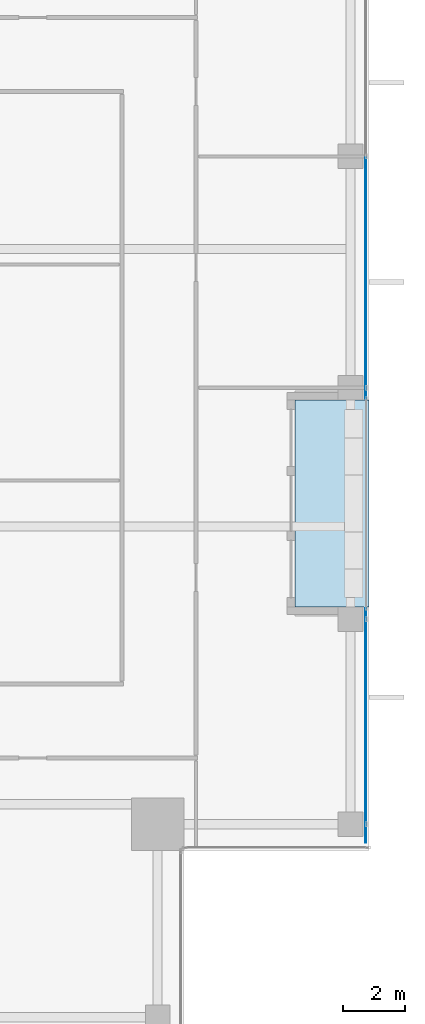
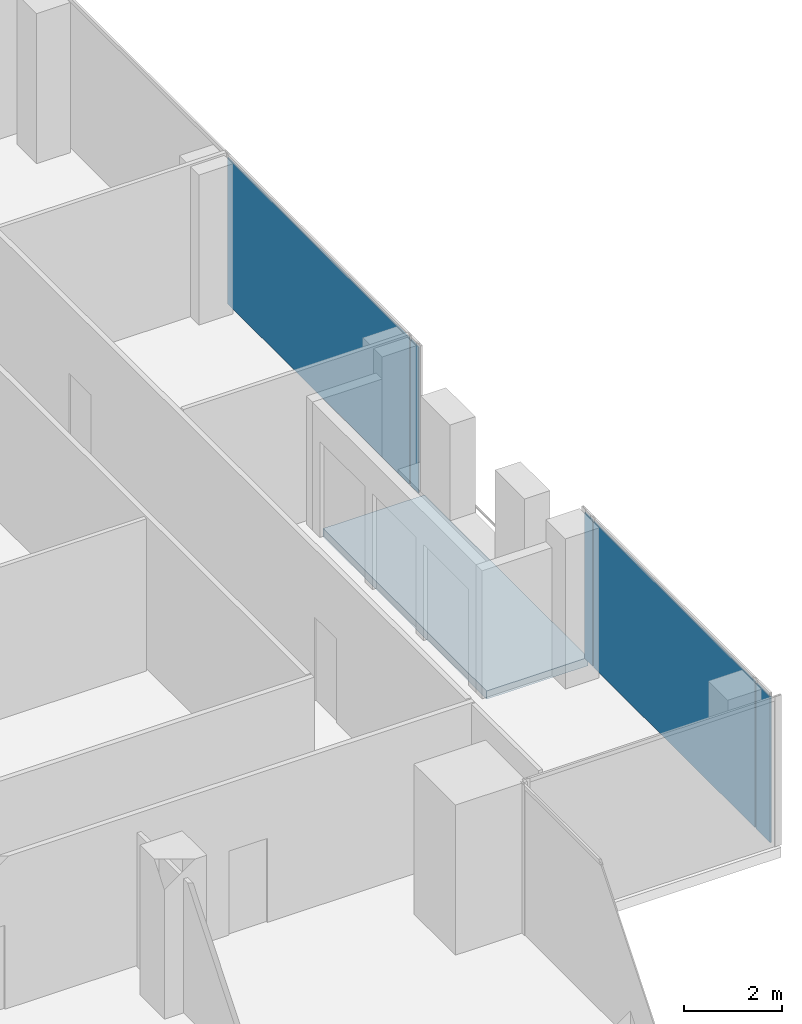
# One storey, part 21 of 29: 5 plates, 1 slab, 2 elements without a shape of their own.
"""IFC4 building model written with IfcOpenShell, lengths in metres."""

from ifc_helpers import new_model, si_unit, direction, frame, origin, origin_2d, place, context, subcontext, project, spatial, polyline, rectangle, outline, extrude, source, transform, mapped, material, layer, layer_set, type_object, element, aggregate, save


model = new_model("IFC4")

# Units and contexts
model_context = context("Model", 3, precision=1e-05, world=origin(), true_north=direction((0.0, 1.0)))
body_context = subcontext(model_context, "Body", "Model", "MODEL_VIEW")
ifc_project = project(units=[si_unit("LENGTHUNIT", "METRE"), si_unit("AREAUNIT", "SQUARE_METRE"), si_unit("VOLUMEUNIT", "CUBIC_METRE"), si_unit("PLANEANGLEUNIT", "RADIAN"), si_unit("MASSUNIT", "GRAM", prefix="KILO")], contexts=[model_context])

# Site, building, storey
site_placement = place(None, origin())
site = spatial("IfcSite", under=ifc_project, at=site_placement, CompositionType="ELEMENT")
building_placement = place(site_placement, origin())
building = spatial("IfcBuilding", under=site, at=building_placement, Name="Khomas Fold Tower", CompositionType="ELEMENT")
storey_placement = place(building_placement, frame((0.0, 0.0, 286.199951171875)))
storey = spatial("IfcBuildingStorey", under=building, at=storey_placement, Name="L64", CompositionType="ELEMENT", Elevation=286.199951171875)

# Curtain wall, plates
ifc_material_1 = material(Name="Aluminium framed double glazing", Category="aluminium")
curtain_wall_type = type_object("IfcCurtainWallType", Name="SK-Unitised clear-glass wall, upper floors CW3", PredefinedType="NOTDEFINED", material=ifc_material_1)
curtain_wall_1_placement = place(storey_placement, origin())
curtain_wall_1 = element("IfcCurtainWall", 1, at=curtain_wall_1_placement, inside=storey, type_object=curtain_wall_type, Name="CW3 run L64 03-0", PredefinedType="NOTDEFINED")
ifc_material_2 = material(Name="Clear double glazed unit")
ifc_layer_1 = layer(ifc_material_2, 0.028076171875)
ifc_layer_set_1 = layer_set([ifc_layer_1], Name="Clear double glazed unit")
plate_type = type_object("IfcPlateType", Name="SK-Unitised clear-glass wall, upper floors glass panel CW3-P", PredefinedType="CURTAIN_PANEL", material=ifc_layer_set_1)
shared_shape_1 = source(origin(), body_context, "Body", "SweptSolid", [
    extrude(rectangle(XDim=0.574951171875, YDim=0.028076171875, at=origin_2d()), origin(), (0.0, 0.0, 1.0), 3.64990234375),
])
plate_1_placement = place(storey_placement, frame((47.89990234375, 12.53759765625, 0.0), z_axis=(0.0, 0.0, 1.0), x_axis=(0.0, 1.0, 0.0)))
plate_1 = element("IfcPlate", 2, at=plate_1_placement, type_object=plate_type, Name="CW3 glass panel 1", PredefinedType="CURTAIN_PANEL", context=body_context, shape_type="MappedRepresentation", body=[
    mapped(shared_shape_1, transform((0.0, 0.0, 0.0))),
])
shared_shape_2 = source(origin(), body_context, "Body", "SweptSolid", [
    extrude(rectangle(XDim=6.60009765625, YDim=0.028076171875, at=origin_2d()), origin(), (0.0, 0.0, 1.0), 3.64990234375),
])
plate_2_placement = place(storey_placement, frame((47.89990234375, 16.175048828125, 0.0), z_axis=(0.0, 0.0, 1.0), x_axis=(0.0, 1.0, 0.0)))
plate_2 = element("IfcPlate", 3, at=plate_2_placement, type_object=plate_type, Name="CW3 glass panel 2", PredefinedType="CURTAIN_PANEL", context=body_context, shape_type="MappedRepresentation", body=[
    mapped(shared_shape_2, transform((0.0, 0.0, 0.0))),
])

# Curtain wall, plate
curtain_wall_2_placement = place(storey_placement, origin())
curtain_wall_2 = element("IfcCurtainWall", 4, at=curtain_wall_2_placement, inside=storey, type_object=curtain_wall_type, Name="CW3 run L64 03-1", PredefinedType="NOTDEFINED")
shared_shape_3 = source(origin(), body_context, "Body", "SweptSolid", [
    extrude(rectangle(XDim=7.449951171875, YDim=0.028076171875, at=origin_2d()), origin(), (0.0, 0.0, 1.0), 3.64990234375),
])
plate_3_placement = place(storey_placement, frame((47.89990234375, 30.75, 0.0), z_axis=(0.0, 0.0, 1.0), x_axis=(0.0, 1.0, 0.0)))
plate_3 = element("IfcPlate", 5, at=plate_3_placement, type_object=plate_type, Name="CW3 glass panel 2", PredefinedType="CURTAIN_PANEL", context=body_context, shape_type="MappedRepresentation", body=[
    mapped(shared_shape_3, transform((0.0, 0.0, 0.0))),
])

# Plate
shared_shape_4 = source(origin(), body_context, "Body", "SweptSolid", [
    extrude(rectangle(XDim=0.324951171875, YDim=0.028076171875, at=origin_2d()), origin(), (0.0, 0.0, 1.0), 3.64990234375),
])
plate_4_placement = place(storey_placement, frame((47.89990234375, 19.6875, 0.0), z_axis=(0.0, 0.0, 1.0), x_axis=(0.0, 1.0, 0.0)))
plate_4 = element("IfcPlate", 6, at=plate_4_placement, type_object=plate_type, Name="CW3 glass panel 3", PredefinedType="CURTAIN_PANEL", context=body_context, shape_type="MappedRepresentation", body=[
    mapped(shared_shape_4, transform((0.0, 0.0, 0.0))),
])

aggregate(curtain_wall_1, [plate_1, plate_2, plate_4])

plate_5_placement = place(storey_placement, frame((47.89990234375, 26.8125, 0.0), z_axis=(0.0, 0.0, 1.0), x_axis=(0.0, 1.0, 0.0)))
plate_5 = element("IfcPlate", 7, at=plate_5_placement, type_object=plate_type, Name="CW3 glass panel 1", PredefinedType="CURTAIN_PANEL", context=body_context, shape_type="MappedRepresentation", body=[
    mapped(shared_shape_4, transform((0.0, 0.0, 0.0))),
])

aggregate(curtain_wall_2, [plate_5, plate_3])

# Slab
ifc_material_3 = material(Name="Concrete C40/50", Category="concrete")
ifc_layer_2 = layer(ifc_material_3, 0.205078125)
ifc_layer_set_2 = layer_set([ifc_layer_2], Name="Concrete C40/50")
slab_type = type_object("IfcSlabType", Name="BL-Balcony deck 205", PredefinedType="FLOOR", material=ifc_layer_set_2)
shared_shape_5 = source(origin(), body_context, "Body", "SweptSolid", [
    extrude(outline(polyline([(45.60009765625, 19.89990234375), (48.0, 19.89990234375), (48.0, 26.60009765625), (45.60009765625, 26.60009765625), (45.60009765625, 19.89990234375)])), origin(), (0.0, 0.0, 1.0), 0.205078125),
])
slab_placement = place(storey_placement, frame((0.0, 0.0, -0.25)))
element("IfcSlab", 8, at=slab_placement, inside=storey, type_object=slab_type, Name="Balcony deck BAL-L64-E2", PredefinedType="FLOOR", context=body_context, shape_type="MappedRepresentation", body=[
    mapped(shared_shape_5, transform((0.0, 0.0, 0.0))),
])

save(model, "model.ifc")
